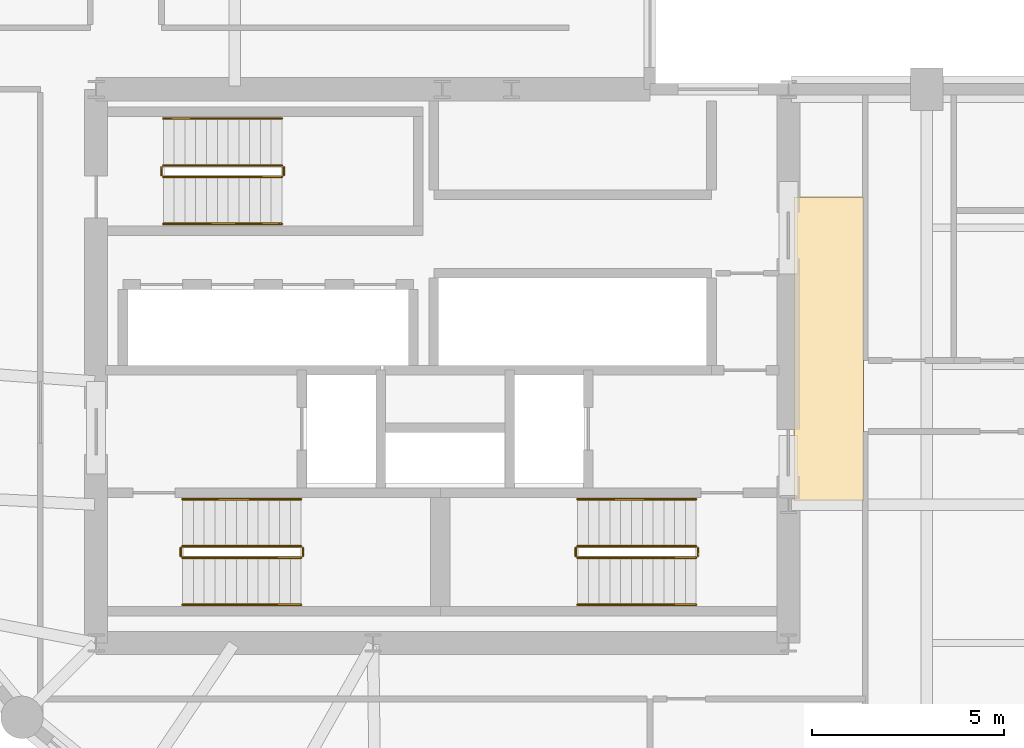
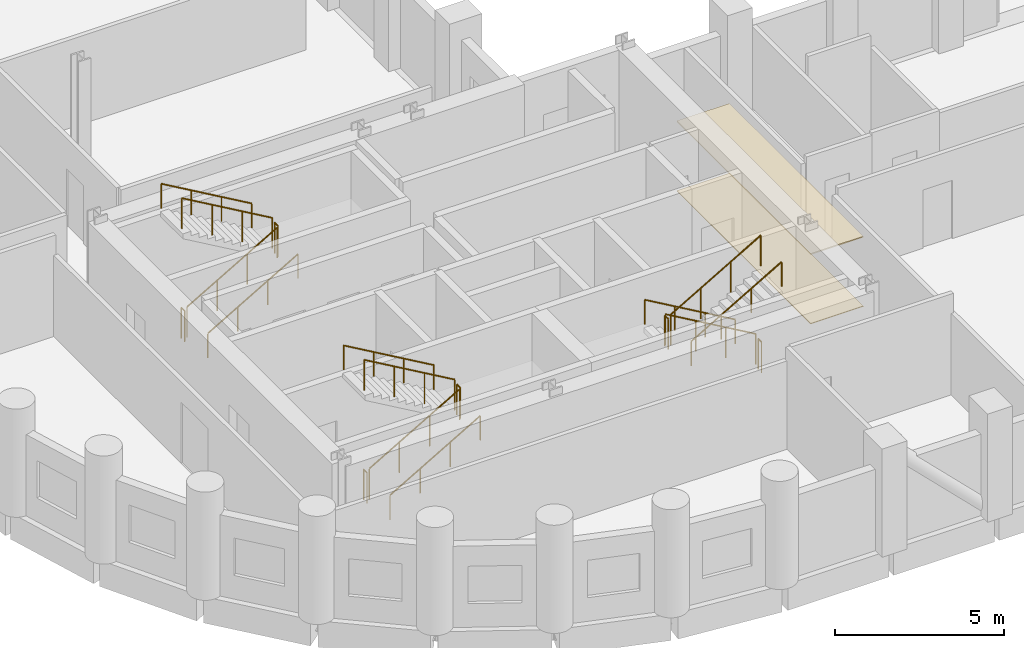
# One storey, part 7 of 8: 18 railings, 2 coverings.
"""IFC4 building model written with IfcOpenShell, lengths in metres."""

from ifc_helpers import new_model, si_unit, direction, frame, origin, origin_2d, place, context, subcontext, project, spatial, polyline, circle, outline, extrude, material, layer, layer_set, type_object, element, save


model = new_model("IFC4")

# Units and contexts
model_context = context("Model", 3, precision=1e-05, world=origin(), true_north=direction((0.0, 1.0)))
body_context = subcontext(model_context, "Body", "Model", "MODEL_VIEW")
ifc_project = project(units=[si_unit("LENGTHUNIT", "METRE"), si_unit("AREAUNIT", "SQUARE_METRE"), si_unit("VOLUMEUNIT", "CUBIC_METRE"), si_unit("PLANEANGLEUNIT", "RADIAN"), si_unit("MASSUNIT", "GRAM", prefix="KILO")], contexts=[model_context])

# Site, building, storey
site_placement = place(None, origin())
site = spatial("IfcSite", under=ifc_project, at=site_placement, CompositionType="ELEMENT")
building_placement = place(site_placement, origin())
building = spatial("IfcBuilding", under=site, at=building_placement, Name="Solnavia Interchange Tower", CompositionType="ELEMENT")
storey_placement = place(building_placement, frame((0.0, 0.0, 107.39990234375)))
storey = spatial("IfcBuildingStorey", under=building, at=storey_placement, Name="L26", CompositionType="ELEMENT", Elevation=107.39990234375)

# Coverings
ifc_material_1 = material(Name="Perforated Mineral-Fibre & Gypsum Ceiling", Category="gypsum")
ifc_layer_1 = layer(ifc_material_1, 0.0400390625)
ifc_layer_set_1 = layer_set([ifc_layer_1], Name="Perforated Mineral-Fibre & Gypsum Ceiling")
covering_type_1 = type_object("IfcCoveringType", Name="Covering-Ceiling-Acoustic40", PredefinedType="CEILING", material=ifc_layer_set_1)
covering_1_placement = place(storey_placement, frame((0.0, 0.0, 2.5)))
element("IfcCovering", 1, at=covering_1_placement, inside=storey, type_object=covering_type_1, Name="CLG-L26-01 Circulation suspended acoustic ceiling", PredefinedType="CEILING", context=body_context, shape_type="SweptSolid", body=[
    extrude(outline(polyline([(32.550048828125, 14.5), (34.35009765625, 14.5), (34.35009765625, 22.39990234375), (32.550048828125, 22.39990234375), (32.550048828125, 14.5)])), origin(), (0.0, 0.0, 1.0), 0.0400390625),
])
ifc_material_2 = material(Name="Polished Alicante Stone Terrazzo", Category="masonry")
ifc_layer_2 = layer(ifc_material_2, 0.02490234375)
ifc_layer_set_2 = layer_set([ifc_layer_2], Name="Polished Alicante Stone Terrazzo")
covering_type_2 = type_object("IfcCoveringType", Name="Covering-Flooring-Terrazzo25", PredefinedType="FLOORING", material=ifc_layer_set_2)
covering_2_placement = place(storey_placement, origin())
element("IfcCovering", 2, at=covering_2_placement, inside=storey, type_object=covering_type_2, Name="FLR-L26-01 Circulation floor finish", PredefinedType="FLOORING", context=body_context, shape_type="SweptSolid", body=[
    extrude(outline(polyline([(32.550048828125, 14.5), (34.35009765625, 14.5), (34.35009765625, 22.39990234375), (32.550048828125, 22.39990234375), (32.550048828125, 14.5)])), origin(), (0.0, 0.0, 1.0), 0.025146484375),
])

# Railings
ifc_material_3 = material(Name="Painted Steel Balustrade", Category="steel")
railing_type_1 = type_object("IfcRailingType", Name="Railing-StairGuard-1100", PredefinedType="GUARDRAIL", material=ifc_material_3)
railing_1_placement = place(storey_placement, frame((16.64990234375, 13.02001953125, 0.16259765625)))
element("IfcRailing", 3, at=railing_1_placement, inside=storey, type_object=railing_type_1, Name="L26 ST-1 stair guard 1", PredefinedType="GUARDRAIL", context=body_context, shape_type="SweptSolid", body=[
    extrude(circle(Radius=0.02392578125, at=origin_2d()), frame((0.0, 0.0, 1.09619140625), z_axis=(0.864890721111, 0.0, 0.501960198159), x_axis=(0.0, 1.0, 0.0)), (0.0, 0.0, 1.0), 3.561279296875),
    extrude(circle(Radius=0.02099609375, at=origin_2d()), origin(), (0.0, 0.0, 1.0), 1.072021484375),
    extrude(circle(Radius=0.02099609375, at=origin_2d()), frame((1.026611328125, 0.0, 0.595947265625)), (0.0, 0.0, 1.0), 1.072021484375),
    extrude(circle(Radius=0.02099609375, at=origin_2d()), frame((2.053466796875, 0.0, 1.191650390625)), (0.0, 0.0, 1.0), 1.072021484375),
    extrude(circle(Radius=0.02099609375, at=origin_2d()), frame((3.080078125, 0.0, 1.78759765625)), (0.0, 0.0, 1.0), 1.072021484375),
])
railing_2_placement = place(storey_placement, frame((19.780029296875, 13.070068359375, 1.9501953125)))
element("IfcRailing", 4, at=railing_2_placement, inside=storey, type_object=railing_type_1, Name="L26 ST-1 stair guard 2", PredefinedType="GUARDRAIL", context=body_context, shape_type="SweptSolid", body=[
    extrude(circle(Radius=0.02392578125, at=origin_2d()), frame((0.0, 0.0, 1.09619140625), z_axis=(0.0, 1.0, 0.0), x_axis=(-1.0, 0.0, 0.0)), (0.0, 0.0, 1.0), 0.199951171875),
    extrude(circle(Radius=0.02099609375, at=origin_2d()), origin(), (0.0, 0.0, 1.0), 1.072021484375),
    extrude(circle(Radius=0.02099609375, at=origin_2d()), frame((0.0, 0.199951171875, 0.0)), (0.0, 0.0, 1.0), 1.072021484375),
])
railing_3_placement = place(storey_placement, frame((19.72998046875, 13.320068359375, 2.112548828125)))
element("IfcRailing", 5, at=railing_3_placement, inside=storey, type_object=railing_type_1, Name="L26 ST-1 stair guard 3", PredefinedType="GUARDRAIL", context=body_context, shape_type="SweptSolid", body=[
    extrude(circle(Radius=0.02392578125, at=origin_2d()), frame((0.0, 0.0, 1.09619140625), z_axis=(-0.864890721111, 0.0, 0.501960198159), x_axis=(0.0, -1.0, 0.0)), (0.0, 0.0, 1.0), 3.561279296875),
    extrude(circle(Radius=0.02099609375, at=origin_2d()), origin(), (0.0, 0.0, 1.0), 1.072021484375),
    extrude(circle(Radius=0.02099609375, at=origin_2d()), frame((-1.026611328125, 0.0, 0.595947265625)), (0.0, 0.0, 1.0), 1.072021484375),
    extrude(circle(Radius=0.02099609375, at=origin_2d()), frame((-2.053466796875, 0.0, 1.191650390625)), (0.0, 0.0, 1.0), 1.072021484375),
    extrude(circle(Radius=0.02099609375, at=origin_2d()), frame((-3.080078125, 0.0, 1.78759765625)), (0.0, 0.0, 1.0), 1.072021484375),
])
railing_4_placement = place(storey_placement, frame((16.60009765625, 13.070068359375, 0.0)))
element("IfcRailing", 6, at=railing_4_placement, inside=storey, type_object=railing_type_1, Name="L26 ST-1 stair guard 4", PredefinedType="GUARDRAIL", context=body_context, shape_type="SweptSolid", body=[
    extrude(circle(Radius=0.02392578125, at=origin_2d()), frame((0.0, 0.0, 1.09619140625), z_axis=(0.0, 1.0, 0.0), x_axis=(-1.0, 0.0, 0.0)), (0.0, 0.0, 1.0), 0.199951171875),
    extrude(circle(Radius=0.02099609375, at=origin_2d()), origin(), (0.0, 0.0, 1.0), 1.072021484375),
    extrude(circle(Radius=0.02099609375, at=origin_2d()), frame((0.0, 0.199951171875, 0.0)), (0.0, 0.0, 1.0), 1.072021484375),
])
railing_5_placement = place(storey_placement, frame((30.0, 13.320068359375, 0.16259765625)))
element("IfcRailing", 7, at=railing_5_placement, inside=storey, type_object=railing_type_1, Name="L26 ST-2 stair guard 1", PredefinedType="GUARDRAIL", context=body_context, shape_type="SweptSolid", body=[
    extrude(circle(Radius=0.02392578125, at=origin_2d()), frame((0.0, 0.0, 1.09619140625), z_axis=(-0.864890721111, 0.0, 0.501960198159), x_axis=(0.0, -1.0, 0.0)), (0.0, 0.0, 1.0), 3.561279296875),
    extrude(circle(Radius=0.02099609375, at=origin_2d()), origin(), (0.0, 0.0, 1.0), 1.072021484375),
    extrude(circle(Radius=0.02099609375, at=origin_2d()), frame((-1.026611328125, 0.0, 0.595947265625)), (0.0, 0.0, 1.0), 1.072021484375),
    extrude(circle(Radius=0.02099609375, at=origin_2d()), frame((-2.053466796875, 0.0, 1.191650390625)), (0.0, 0.0, 1.0), 1.072021484375),
    extrude(circle(Radius=0.02099609375, at=origin_2d()), frame((-3.080078125, 0.0, 1.78759765625)), (0.0, 0.0, 1.0), 1.072021484375),
])
railing_6_placement = place(storey_placement, frame((26.8701171875, 13.27001953125, 1.9501953125)))
element("IfcRailing", 8, at=railing_6_placement, inside=storey, type_object=railing_type_1, Name="L26 ST-2 stair guard 2", PredefinedType="GUARDRAIL", context=body_context, shape_type="SweptSolid", body=[
    extrude(circle(Radius=0.02392578125, at=origin_2d()), frame((0.0, 0.0, 1.09619140625), z_axis=(0.0, -1.0, 0.0), x_axis=(1.0, 0.0, 0.0)), (0.0, 0.0, 1.0), 0.199951171875),
    extrude(circle(Radius=0.02099609375, at=origin_2d()), origin(), (0.0, 0.0, 1.0), 1.072021484375),
    extrude(circle(Radius=0.02099609375, at=origin_2d()), frame((0.0, -0.199951171875, 0.0)), (0.0, 0.0, 1.0), 1.072021484375),
])
railing_7_placement = place(storey_placement, frame((26.919921875, 13.02001953125, 2.112548828125)))
element("IfcRailing", 9, at=railing_7_placement, inside=storey, type_object=railing_type_1, Name="L26 ST-2 stair guard 3", PredefinedType="GUARDRAIL", context=body_context, shape_type="SweptSolid", body=[
    extrude(circle(Radius=0.02392578125, at=origin_2d()), frame((0.0, 0.0, 1.09619140625), z_axis=(0.864890721111, 0.0, 0.501960198159), x_axis=(0.0, 1.0, 0.0)), (0.0, 0.0, 1.0), 3.561279296875),
    extrude(circle(Radius=0.02099609375, at=origin_2d()), origin(), (0.0, 0.0, 1.0), 1.072021484375),
    extrude(circle(Radius=0.02099609375, at=origin_2d()), frame((1.026611328125, 0.0, 0.595947265625)), (0.0, 0.0, 1.0), 1.072021484375),
    extrude(circle(Radius=0.02099609375, at=origin_2d()), frame((2.053466796875, 0.0, 1.191650390625)), (0.0, 0.0, 1.0), 1.072021484375),
    extrude(circle(Radius=0.02099609375, at=origin_2d()), frame((3.080078125, 0.0, 1.78759765625)), (0.0, 0.0, 1.0), 1.072021484375),
])
railing_8_placement = place(storey_placement, frame((30.050048828125, 13.27001953125, 0.0)))
element("IfcRailing", 10, at=railing_8_placement, inside=storey, type_object=railing_type_1, Name="L26 ST-2 stair guard 4", PredefinedType="GUARDRAIL", context=body_context, shape_type="SweptSolid", body=[
    extrude(circle(Radius=0.02392578125, at=origin_2d()), frame((0.0, 0.0, 1.09619140625), z_axis=(0.0, -1.0, 0.0), x_axis=(1.0, 0.0, 0.0)), (0.0, 0.0, 1.0), 0.199951171875),
    extrude(circle(Radius=0.02099609375, at=origin_2d()), origin(), (0.0, 0.0, 1.0), 1.072021484375),
    extrude(circle(Radius=0.02099609375, at=origin_2d()), frame((0.0, -0.199951171875, 0.0)), (0.0, 0.0, 1.0), 1.072021484375),
])
railing_9_placement = place(storey_placement, frame((16.14990234375, 22.919921875, 0.16259765625)))
element("IfcRailing", 11, at=railing_9_placement, inside=storey, type_object=railing_type_1, Name="L26 ST-3 stair guard 1", PredefinedType="GUARDRAIL", context=body_context, shape_type="SweptSolid", body=[
    extrude(circle(Radius=0.02392578125, at=origin_2d()), frame((0.0, 0.0, 1.09619140625), z_axis=(0.864890721111, 0.0, 0.501960198159), x_axis=(0.0, 1.0, 0.0)), (0.0, 0.0, 1.0), 3.561279296875),
    extrude(circle(Radius=0.02099609375, at=origin_2d()), origin(), (0.0, 0.0, 1.0), 1.072021484375),
    extrude(circle(Radius=0.02099609375, at=origin_2d()), frame((1.026611328125, 0.0, 0.595947265625)), (0.0, 0.0, 1.0), 1.072021484375),
    extrude(circle(Radius=0.02099609375, at=origin_2d()), frame((2.053466796875, 0.0, 1.191650390625)), (0.0, 0.0, 1.0), 1.072021484375),
    extrude(circle(Radius=0.02099609375, at=origin_2d()), frame((3.080078125, 0.0, 1.78759765625)), (0.0, 0.0, 1.0), 1.072021484375),
])
railing_10_placement = place(storey_placement, frame((19.280029296875, 22.969970703125, 1.9501953125)))
element("IfcRailing", 12, at=railing_10_placement, inside=storey, type_object=railing_type_1, Name="L26 ST-3 stair guard 2", PredefinedType="GUARDRAIL", context=body_context, shape_type="SweptSolid", body=[
    extrude(circle(Radius=0.02392578125, at=origin_2d()), frame((0.0, 0.0, 1.09619140625), z_axis=(0.0, 1.0, 0.0), x_axis=(-1.0, 0.0, 0.0)), (0.0, 0.0, 1.0), 0.199951171875),
    extrude(circle(Radius=0.02099609375, at=origin_2d()), origin(), (0.0, 0.0, 1.0), 1.072021484375),
    extrude(circle(Radius=0.02099609375, at=origin_2d()), frame((0.0, 0.199951171875, 0.0)), (0.0, 0.0, 1.0), 1.072021484375),
])
railing_11_placement = place(storey_placement, frame((19.22998046875, 23.219970703125, 2.112548828125)))
element("IfcRailing", 13, at=railing_11_placement, inside=storey, type_object=railing_type_1, Name="L26 ST-3 stair guard 3", PredefinedType="GUARDRAIL", context=body_context, shape_type="SweptSolid", body=[
    extrude(circle(Radius=0.02392578125, at=origin_2d()), frame((0.0, 0.0, 1.09619140625), z_axis=(-0.864890721111, 0.0, 0.501960198159), x_axis=(0.0, -1.0, 0.0)), (0.0, 0.0, 1.0), 3.561279296875),
    extrude(circle(Radius=0.02099609375, at=origin_2d()), origin(), (0.0, 0.0, 1.0), 1.072021484375),
    extrude(circle(Radius=0.02099609375, at=origin_2d()), frame((-1.026611328125, 0.0, 0.595947265625)), (0.0, 0.0, 1.0), 1.072021484375),
    extrude(circle(Radius=0.02099609375, at=origin_2d()), frame((-2.053466796875, 0.0, 1.191650390625)), (0.0, 0.0, 1.0), 1.072021484375),
    extrude(circle(Radius=0.02099609375, at=origin_2d()), frame((-3.080078125, 0.0, 1.78759765625)), (0.0, 0.0, 1.0), 1.072021484375),
])
railing_12_placement = place(storey_placement, frame((16.10009765625, 22.969970703125, 0.0)))
element("IfcRailing", 14, at=railing_12_placement, inside=storey, type_object=railing_type_1, Name="L26 ST-3 stair guard 4", PredefinedType="GUARDRAIL", context=body_context, shape_type="SweptSolid", body=[
    extrude(circle(Radius=0.02392578125, at=origin_2d()), frame((0.0, 0.0, 1.09619140625), z_axis=(0.0, 1.0, 0.0), x_axis=(-1.0, 0.0, 0.0)), (0.0, 0.0, 1.0), 0.199951171875),
    extrude(circle(Radius=0.02099609375, at=origin_2d()), origin(), (0.0, 0.0, 1.0), 1.072021484375),
    extrude(circle(Radius=0.02099609375, at=origin_2d()), frame((0.0, 0.199951171875, 0.0)), (0.0, 0.0, 1.0), 1.072021484375),
])
ifc_material_4 = material(Name="Brushed Stainless Steel", Category="steel")
railing_type_2 = type_object("IfcRailingType", Name="Railing-StairHandrail-900", PredefinedType="HANDRAIL", material=ifc_material_4)
railing_13_placement = place(storey_placement, frame((16.64990234375, 11.800048828125, 0.16259765625)))
element("IfcRailing", 15, at=railing_13_placement, inside=storey, type_object=railing_type_2, Name="L26 ST-1 stair handrail 1", PredefinedType="HANDRAIL", context=body_context, shape_type="SweptSolid", body=[
    extrude(circle(Radius=0.02392578125, at=origin_2d()), frame((0.0, 0.0, 0.8759765625), z_axis=(0.864890721111, 0.0, 0.501960198159), x_axis=(0.0, 1.0, 0.0)), (0.0, 0.0, 1.0), 3.561279296875),
    extrude(circle(Radius=0.02099609375, at=origin_2d()), origin(), (0.0, 0.0, 1.0), 0.851806640625),
    extrude(circle(Radius=0.02099609375, at=origin_2d()), frame((1.026611328125, 0.0, 0.595947265625)), (0.0, 0.0, 1.0), 0.851806640625),
    extrude(circle(Radius=0.02099609375, at=origin_2d()), frame((2.053466796875, 0.0, 1.191650390625)), (0.0, 0.0, 1.0), 0.851806640625),
    extrude(circle(Radius=0.02099609375, at=origin_2d()), frame((3.080078125, 0.0, 1.78759765625)), (0.0, 0.0, 1.0), 0.851806640625),
])
for number, where, name in (
    (16, (19.72998046875, 14.5400390625, 2.112548828125), "L26 ST-1 stair handrail 2"),
    (17, (30.0, 14.5400390625, 0.16259765625), "L26 ST-2 stair handrail 1"),
):
    element("IfcRailing", number, at=place(storey_placement, frame(where)), inside=storey, type_object=railing_type_2, Name=name, PredefinedType="HANDRAIL", context=body_context, shape_type="SweptSolid", body=[
        extrude(circle(Radius=0.02392578125, at=origin_2d()), frame((0.0, 0.0, 0.8759765625), z_axis=(-0.864890721111, 0.0, 0.501960198159), x_axis=(0.0, -1.0, 0.0)), (0.0, 0.0, 1.0), 3.561279296875),
        extrude(circle(Radius=0.02099609375, at=origin_2d()), origin(), (0.0, 0.0, 1.0), 0.851806640625),
        extrude(circle(Radius=0.02099609375, at=origin_2d()), frame((-1.026611328125, 0.0, 0.595947265625)), (0.0, 0.0, 1.0), 0.851806640625),
        extrude(circle(Radius=0.02099609375, at=origin_2d()), frame((-2.053466796875, 0.0, 1.191650390625)), (0.0, 0.0, 1.0), 0.851806640625),
        extrude(circle(Radius=0.02099609375, at=origin_2d()), frame((-3.080078125, 0.0, 1.78759765625)), (0.0, 0.0, 1.0), 0.851806640625),
    ])
for number, where, name in (
    (18, (26.919921875, 11.800048828125, 2.112548828125), "L26 ST-2 stair handrail 2"),
    (19, (16.14990234375, 21.699951171875, 0.16259765625), "L26 ST-3 stair handrail 1"),
):
    element("IfcRailing", number, at=place(storey_placement, frame(where)), inside=storey, type_object=railing_type_2, Name=name, PredefinedType="HANDRAIL", context=body_context, shape_type="SweptSolid", body=[
        extrude(circle(Radius=0.02392578125, at=origin_2d()), frame((0.0, 0.0, 0.8759765625), z_axis=(0.864890721111, 0.0, 0.501960198159), x_axis=(0.0, 1.0, 0.0)), (0.0, 0.0, 1.0), 3.561279296875),
        extrude(circle(Radius=0.02099609375, at=origin_2d()), origin(), (0.0, 0.0, 1.0), 0.851806640625),
        extrude(circle(Radius=0.02099609375, at=origin_2d()), frame((1.026611328125, 0.0, 0.595947265625)), (0.0, 0.0, 1.0), 0.851806640625),
        extrude(circle(Radius=0.02099609375, at=origin_2d()), frame((2.053466796875, 0.0, 1.191650390625)), (0.0, 0.0, 1.0), 0.851806640625),
        extrude(circle(Radius=0.02099609375, at=origin_2d()), frame((3.080078125, 0.0, 1.78759765625)), (0.0, 0.0, 1.0), 0.851806640625),
    ])
railing_14_placement = place(storey_placement, frame((19.22998046875, 24.43994140625, 2.112548828125)))
element("IfcRailing", 20, at=railing_14_placement, inside=storey, type_object=railing_type_2, Name="L26 ST-3 stair handrail 2", PredefinedType="HANDRAIL", context=body_context, shape_type="SweptSolid", body=[
    extrude(circle(Radius=0.02392578125, at=origin_2d()), frame((0.0, 0.0, 0.8759765625), z_axis=(-0.864890721111, 0.0, 0.501960198159), x_axis=(0.0, -1.0, 0.0)), (0.0, 0.0, 1.0), 3.561279296875),
    extrude(circle(Radius=0.02099609375, at=origin_2d()), origin(), (0.0, 0.0, 1.0), 0.851806640625),
    extrude(circle(Radius=0.02099609375, at=origin_2d()), frame((-1.026611328125, 0.0, 0.595947265625)), (0.0, 0.0, 1.0), 0.851806640625),
    extrude(circle(Radius=0.02099609375, at=origin_2d()), frame((-2.053466796875, 0.0, 1.191650390625)), (0.0, 0.0, 1.0), 0.851806640625),
    extrude(circle(Radius=0.02099609375, at=origin_2d()), frame((-3.080078125, 0.0, 1.78759765625)), (0.0, 0.0, 1.0), 0.851806640625),
])

save(model, "model.ifc")
